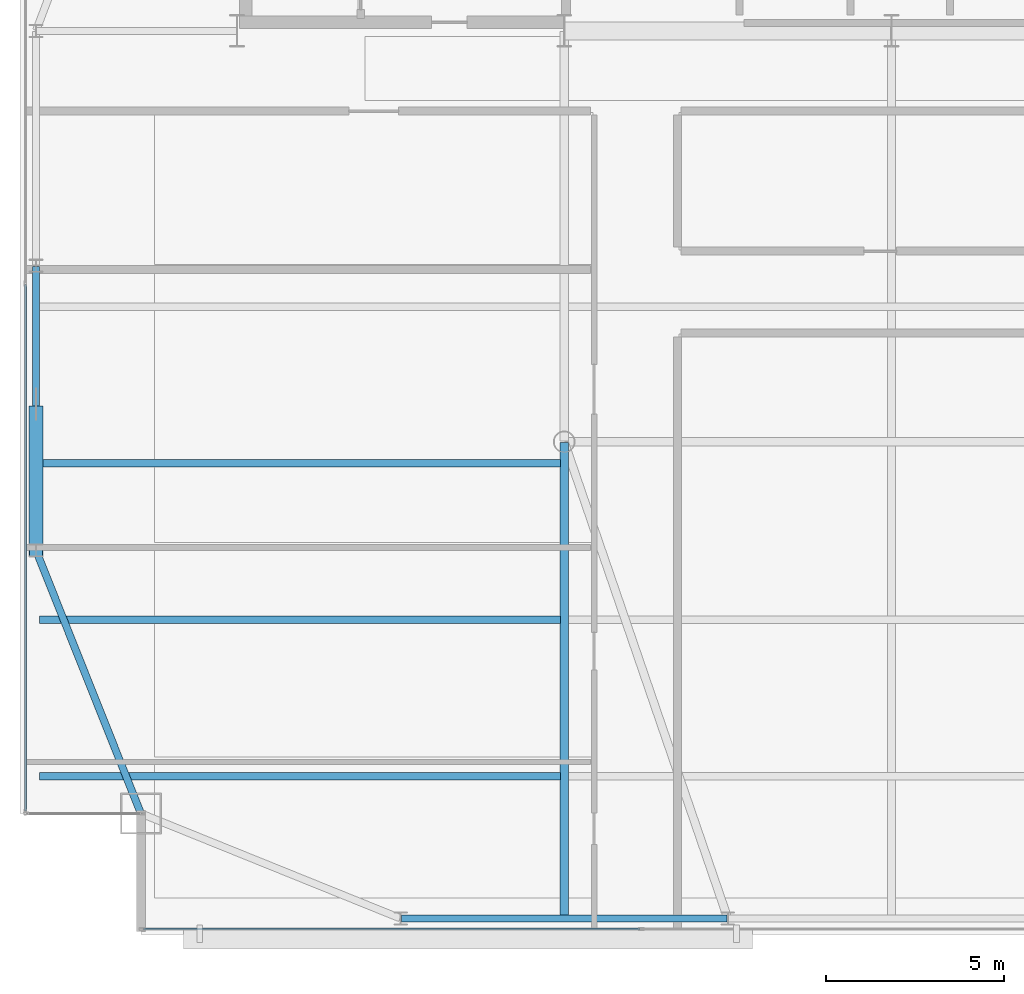
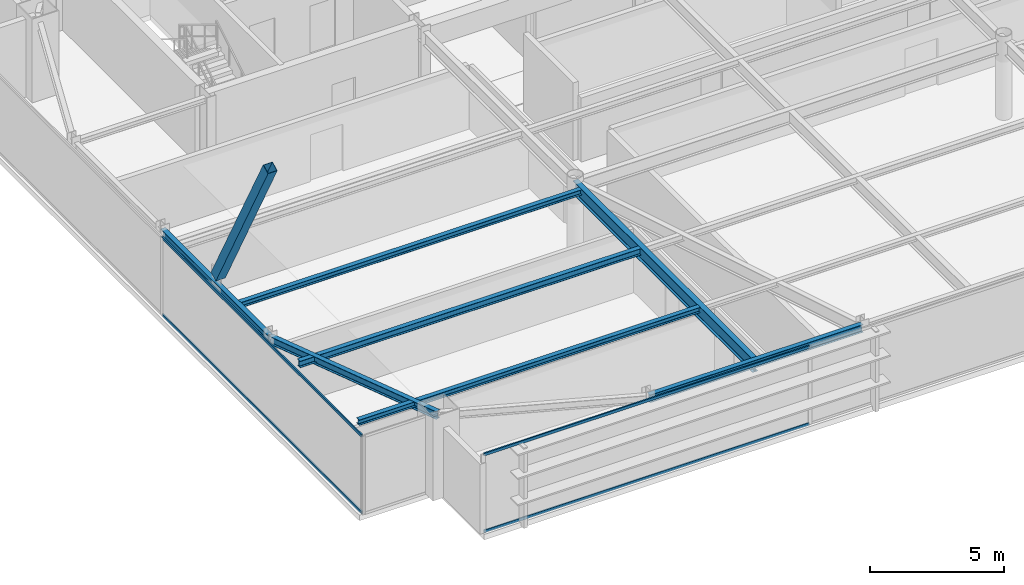
# One storey, part 5 of 26: 7 beams, 5 members, 2 elements without a shape of their own.
"""IFC4 building model written with IfcOpenShell, lengths in metres."""

from ifc_helpers import new_model, si_unit, direction, frame, origin, origin_2d, place, context, subcontext, project, spatial, hollow_rectangle, i_section, extrude, source, transform, mapped, material, layer, layer_set, material_profile, profile_set, type_object, type_shapes, element, aggregate, save


model = new_model("IFC4")

# Units and contexts
model_context = context("Model", 3, precision=1e-05, world=origin(), true_north=direction((0.0, 1.0)))
body_context = subcontext(model_context, "Body", "Model", "MODEL_VIEW")
ifc_project = project(units=[si_unit("LENGTHUNIT", "METRE"), si_unit("AREAUNIT", "SQUARE_METRE"), si_unit("VOLUMEUNIT", "CUBIC_METRE"), si_unit("PLANEANGLEUNIT", "RADIAN"), si_unit("MASSUNIT", "GRAM", prefix="KILO")], contexts=[model_context])

# Site, building, storey
site_placement = place(None, origin())
site = spatial("IfcSite", under=ifc_project, at=site_placement, CompositionType="ELEMENT")
building_placement = place(site_placement, origin())
building = spatial("IfcBuilding", under=site, at=building_placement, Name="Varnel Quay Broadcast Tower", CompositionType="ELEMENT")
storey_placement = place(building_placement, frame((0.0, 0.0, 218.800048828125)))
storey = spatial("IfcBuildingStorey", under=building, at=storey_placement, Name="L54", CompositionType="ELEMENT", Elevation=218.800048828125)

# Beams
ifc_material_1 = material(Name="Structural Steel CSA G40.21 350W", Category="steel")
ifc_material_profile_1 = material_profile(ifc_material_1, i_section(OverallWidth=0.205078125, OverallDepth=0.35400390625, WebThickness=0.009521484375, FlangeThickness=0.016845703125, FilletRadius=0.012939453125, at=origin_2d()), Name="W360X79")
ifc_profile_set_1 = profile_set([ifc_material_profile_1], Name="Structural Steel CSA G40.21 350W")
beam_type_1 = type_object("IfcBeamType", Name="Beam_W360X79", PredefinedType="SPANDREL", material=ifc_profile_set_1)
shared_shape_1 = source(origin(), body_context, "Body", "SweptSolid", [
    extrude(i_section(OverallWidth=0.205078125, OverallDepth=0.35400390625, WebThickness=0.009521484375, FlangeThickness=0.016845703125, FilletRadius=0.012939453125, at=origin_2d()), origin(), (0.0, 0.0, 1.0), 9.159912109375),
])
beam_1_placement = place(storey_placement, frame((20.219970703125, 10.64990234375, 3.373046875), z_axis=(1.0, 0.0, 0.0), x_axis=(0.0, 1.0, 0.0)))
element("IfcBeam", 1, at=beam_1_placement, inside=storey, type_object=beam_type_1, Name="L54 South Spandrel TC-S1-TC-S2", PredefinedType="SPANDREL", context=body_context, shape_type="MappedRepresentation", body=[
    mapped(shared_shape_1, transform((0.0, 0.0, 0.0), x_axis=(1.0, 0.0, 0.0), y_axis=(0.0, 1.0, 0.0), z_axis=(0.0, 0.0, 1.0), scale=1.0)),
])
shared_shape_2 = source(origin(), body_context, "Body", "SweptSolid", [
    extrude(i_section(OverallWidth=0.205078125, OverallDepth=0.35400390625, WebThickness=0.009521484375, FlangeThickness=0.016845703125, FilletRadius=0.012939453125, at=origin_2d()), origin(), (0.0, 0.0, 1.0), 7.92626953125),
])
beam_2_placement = place(storey_placement, frame((12.892578125, 13.61865234375, 3.373046875), z_axis=(-0.370296431883, 0.928913641053, 0.0), x_axis=(-0.928913641053, -0.370296431883, 0.0)))
element("IfcBeam", 2, at=beam_2_placement, inside=storey, type_object=beam_type_1, Name="L54 West Spandrel MC-SW-TC-W1", PredefinedType="SPANDREL", context=body_context, shape_type="MappedRepresentation", body=[
    mapped(shared_shape_2, transform((0.0, 0.0, 0.0), x_axis=(1.0, 0.0, 0.0), y_axis=(0.0, 1.0, 0.0), z_axis=(0.0, 0.0, 1.0), scale=1.0)),
])
shared_shape_3 = source(origin(), body_context, "Body", "SweptSolid", [
    extrude(i_section(OverallWidth=0.205078125, OverallDepth=0.35400390625, WebThickness=0.009521484375, FlangeThickness=0.016845703125, FilletRadius=0.012939453125, at=origin_2d()), origin(), (0.0, 0.0, 1.0), 7.9599609375),
])
type_shapes(beam_type_1, [shared_shape_1, shared_shape_2, shared_shape_3])
beam_3_placement = place(storey_placement, frame((9.949951171875, 21.02001953125, 3.373046875), z_axis=(0.0, 1.0, 0.0), x_axis=(-1.0, 0.0, 0.0)))
element("IfcBeam", 3, at=beam_3_placement, inside=storey, type_object=beam_type_1, Name="L54 West Spandrel TC-W1-TC-W2", PredefinedType="SPANDREL", context=body_context, shape_type="MappedRepresentation", body=[
    mapped(shared_shape_3, transform((0.0, 0.0, 0.0), x_axis=(1.0, 0.0, 0.0), y_axis=(0.0, 1.0, 0.0), z_axis=(0.0, 0.0, 1.0), scale=1.0)),
])
ifc_material_profile_2 = material_profile(ifc_material_1, i_section(OverallWidth=0.22998046875, OverallDepth=0.616943359375, WebThickness=0.01318359375, FlangeThickness=0.022216796875, FilletRadius=0.01611328125, at=origin_2d()), Name="W610X140")
ifc_profile_set_2 = profile_set([ifc_material_profile_2], Name="Structural Steel CSA G40.21 350W")
beam_type_2 = type_object("IfcBeamType", Name="Girder_W610X140", PredefinedType="BEAM", material=ifc_profile_set_2)
shared_shape_4 = source(origin(), body_context, "Body", "SweptSolid", [
    extrude(i_section(OverallWidth=0.22998046875, OverallDepth=0.616943359375, WebThickness=0.01318359375, FlangeThickness=0.022216796875, FilletRadius=0.01611328125, at=origin_2d()), origin(), (0.0, 0.0, 1.0), 13.360107421875),
])
type_shapes(beam_type_2, [shared_shape_4])
beam_4_placement = place(storey_placement, frame((24.800048828125, 10.669921875, 3.241455078125), z_axis=(0.0, 1.0, 0.0), x_axis=(-1.0, 0.0, 0.0)))
element("IfcBeam", 4, at=beam_4_placement, inside=storey, type_object=beam_type_2, Name="L54 N-S Joist Header IC-01S", PredefinedType="BEAM", context=body_context, shape_type="MappedRepresentation", body=[
    mapped(shared_shape_4, transform((0.0, 0.0, 0.0), x_axis=(1.0, 0.0, 0.0), y_axis=(0.0, 1.0, 0.0), z_axis=(0.0, 0.0, 1.0), scale=1.0)),
])
ifc_material_profile_3 = material_profile(ifc_material_1, i_section(OverallWidth=0.201904296875, OverallDepth=0.2470703125, WebThickness=0.00732421875, FlangeThickness=0.010986328125, FilletRadius=0.010986328125, at=origin_2d()), Name="W250X49")
ifc_profile_set_3 = profile_set([ifc_material_profile_3], Name="Structural Steel CSA G40.21 350W")
beam_type_3 = type_object("IfcBeamType", Name="Beam_W250X49", PredefinedType="JOIST", material=ifc_profile_set_3)
shared_shape_5 = source(origin(), body_context, "Body", "SweptSolid", [
    extrude(i_section(OverallWidth=0.201904296875, OverallDepth=0.2470703125, WebThickness=0.00732421875, FlangeThickness=0.010986328125, FilletRadius=0.010986328125, at=origin_2d()), origin(), (0.0, 0.0, 1.0), 14.642333984375),
])
type_shapes(beam_type_3, [shared_shape_5])
for number, where, z_axis, x_axis, name in (
    (5, (10.047607421875, 14.64990234375, 3.426513671875), (1.0, 0.0, 0.0), (0.0, 1.0, 0.0), "L54 West Floor Joist 1"),
    (6, (10.047607421875, 23.449951171875, 3.426513671875), (1.0, 0.0, 0.0), (0.0, 1.0, 0.0), "L54 West Floor Joist 3"),
):
    element("IfcBeam", number, at=place(storey_placement, frame(where, z_axis=z_axis, x_axis=x_axis)), inside=storey, type_object=beam_type_3, Name=name, PredefinedType="JOIST", context=body_context, shape_type="MappedRepresentation", body=[
        mapped(shared_shape_5, transform((0.0, 0.0, 0.0), x_axis=(1.0, 0.0, 0.0), y_axis=(0.0, 1.0, 0.0), z_axis=(0.0, 0.0, 1.0), scale=1.0)),
    ])
ifc_material_profile_4 = material_profile(ifc_material_1, i_section(OverallWidth=0.202880859375, OverallDepth=0.302978515625, WebThickness=0.007568359375, FlangeThickness=0.01318359375, FilletRadius=0.011962890625, at=origin_2d()), Name="W310X60")
ifc_profile_set_4 = profile_set([ifc_material_profile_4], Name="Structural Steel CSA G40.21 350W")
beam_type_4 = type_object("IfcBeamType", Name="Beam_W310X60", PredefinedType="JOIST", material=ifc_profile_set_4)
shared_shape_6 = source(origin(), body_context, "Body", "SweptSolid", [
    extrude(i_section(OverallWidth=0.202880859375, OverallDepth=0.302978515625, WebThickness=0.007568359375, FlangeThickness=0.01318359375, FilletRadius=0.011962890625, at=origin_2d()), origin(), (0.0, 0.0, 1.0), 14.642333984375),
])
type_shapes(beam_type_4, [shared_shape_6])
beam_5_placement = place(storey_placement, frame((10.047607421875, 19.050048828125, 3.3984375), z_axis=(1.0, 0.0, 0.0), x_axis=(0.0, 1.0, 0.0)))
element("IfcBeam", 7, at=beam_5_placement, inside=storey, type_object=beam_type_4, Name="L54 West Floor Joist 2", PredefinedType="JOIST", context=body_context, shape_type="MappedRepresentation", body=[
    mapped(shared_shape_6, transform((0.0, 0.0, 0.0), x_axis=(1.0, 0.0, 0.0), y_axis=(0.0, 1.0, 0.0), z_axis=(0.0, 0.0, 1.0), scale=1.0)),
])

# Member
ifc_material_profile_5 = material_profile(ifc_material_1, hollow_rectangle(XDim=0.406005859375, YDim=0.406005859375, WallThickness=0.01611328125, at=origin_2d()), Name="HSS406X406X16")
ifc_profile_set_5 = profile_set([ifc_material_profile_5], Name="Structural Steel CSA G40.21 350W")
member_type_1 = type_object("IfcMemberType", Name="Brace_HSS406X406X16", PredefinedType="BRACE", material=ifc_profile_set_5)
shared_shape_7 = source(origin(), body_context, "Body", "SweptSolid", [
    extrude(hollow_rectangle(XDim=0.406005859375, YDim=0.406005859375, WallThickness=0.01611328125, at=origin_2d()), origin(), (0.0, 0.0, 1.0), 8.191650390625),
])
type_shapes(member_type_1, [shared_shape_7])
member_1_placement = place(storey_placement, frame((9.949951171875, 24.873046875, 3.91162109375), z_axis=(0.0, -0.47280190134, 0.881168747794), x_axis=(1.0, 0.0, 0.0)))
element("IfcMember", 8, at=member_1_placement, inside=storey, type_object=member_type_1, Name="Zone 4 Mega-Brace W-FT2 Split Diag B2", PredefinedType="BRACE", context=body_context, shape_type="MappedRepresentation", body=[
    mapped(shared_shape_7, transform((0.0, 0.0, 0.0), x_axis=(1.0, 0.0, 0.0), y_axis=(0.0, 1.0, 0.0), z_axis=(0.0, 0.0, 1.0), scale=1.0)),
])

# Curtain wall, members
ifc_material_2 = material(Name="Anodised Bronze Aluminium 6063-T6", Category="aluminium")
ifc_layer = layer(ifc_material_2, 0.18994140625, Name="Anodised Bronze Aluminium 6063-T6")
ifc_layer_set = layer_set([ifc_layer], Name="Anodised Bronze Aluminium 6063-T6")
curtain_wall_type = type_object("IfcCurtainWallType", Name="CW_UpperTower", PredefinedType="NOTDEFINED", material=ifc_layer_set)
curtain_wall_1_placement = place(storey_placement, origin())
curtain_wall_1 = element("IfcCurtainWall", 9, at=curtain_wall_1_placement, inside=storey, type_object=curtain_wall_type, Name="L54 West Unitised Curtain Wall", PredefinedType="NOTDEFINED")
ifc_material_profile_6 = material_profile(ifc_material_2, hollow_rectangle(XDim=0.06005859375, YDim=0.125, WallThickness=0.0029296875, at=origin_2d()), Name="ALU60X125X3")
ifc_profile_set_6 = profile_set([ifc_material_profile_6], Name="Anodised Bronze Aluminium 6063-T6")
member_type_2 = type_object("IfcMemberType", Name="Tran_CWS-03", PredefinedType="USERDEFINED", material=ifc_profile_set_6)
shared_shape_8 = source(origin(), body_context, "Body", "SweptSolid", [
    extrude(hollow_rectangle(XDim=0.06005859375, YDim=0.125, WallThickness=0.0029296875, at=origin_2d()), origin(), (0.0, 0.0, 1.0), 14.802490234375),
])
member_2_placement = place(storey_placement, frame((9.64990234375, 13.6650390625, 0.030029296875), z_axis=(0.0, 1.0, 0.0), x_axis=(-1.0, 0.0, 0.0)))
member_2 = element("IfcMember", 10, at=member_2_placement, type_object=member_type_2, Name="CWS-03 transom 1.1", ObjectType="TRANSOM", PredefinedType="USERDEFINED", context=body_context, shape_type="MappedRepresentation", body=[
    mapped(shared_shape_8, transform((0.0, 0.0, 0.0), x_axis=(1.0, 0.0, 0.0), y_axis=(0.0, 1.0, 0.0), z_axis=(0.0, 0.0, 1.0), scale=1.0)),
])
member_3_placement = place(storey_placement, frame((9.64990234375, 13.6650390625, 3.52001953125), z_axis=(0.0, 1.0, 0.0), x_axis=(-1.0, 0.0, 0.0)))
member_3 = element("IfcMember", 11, at=member_3_placement, type_object=member_type_2, Name="CWS-03 transom 1.2", ObjectType="TRANSOM", PredefinedType="USERDEFINED", context=body_context, shape_type="MappedRepresentation", body=[
    mapped(shared_shape_8, transform((0.0, 0.0, 0.0), x_axis=(1.0, 0.0, 0.0), y_axis=(0.0, 1.0, 0.0), z_axis=(0.0, 0.0, 1.0), scale=1.0)),
])
aggregate(curtain_wall_1, [member_2, member_3])

curtain_wall_2_placement = place(storey_placement, origin())
curtain_wall_2 = element("IfcCurtainWall", 12, at=curtain_wall_2_placement, inside=storey, type_object=curtain_wall_type, Name="L54 South Unitised Curtain Wall 1", PredefinedType="NOTDEFINED")
shared_shape_9 = source(origin(), body_context, "Body", "SweptSolid", [
    extrude(hollow_rectangle(XDim=0.06005859375, YDim=0.125, WallThickness=0.0029296875, at=origin_2d()), origin(), (0.0, 0.0, 1.0), 13.968994140625),
])
type_shapes(member_type_2, [shared_shape_8, shared_shape_9])
member_4_placement = place(storey_placement, frame((12.965087890625, 10.35009765625, 0.030029296875), z_axis=(1.0, 0.0, 0.0), x_axis=(0.0, 1.0, 0.0)))
member_4 = element("IfcMember", 13, at=member_4_placement, type_object=member_type_2, Name="CWS-03 transom 1.1", ObjectType="TRANSOM", PredefinedType="USERDEFINED", context=body_context, shape_type="MappedRepresentation", body=[
    mapped(shared_shape_9, transform((0.0, 0.0, 0.0), x_axis=(1.0, 0.0, 0.0), y_axis=(0.0, 1.0, 0.0), z_axis=(0.0, 0.0, 1.0), scale=1.0)),
])
member_5_placement = place(storey_placement, frame((12.965087890625, 10.35009765625, 3.52001953125), z_axis=(1.0, 0.0, 0.0), x_axis=(0.0, 1.0, 0.0)))
member_5 = element("IfcMember", 14, at=member_5_placement, type_object=member_type_2, Name="CWS-03 transom 1.2", ObjectType="TRANSOM", PredefinedType="USERDEFINED", context=body_context, shape_type="MappedRepresentation", body=[
    mapped(shared_shape_9, transform((0.0, 0.0, 0.0), x_axis=(1.0, 0.0, 0.0), y_axis=(0.0, 1.0, 0.0), z_axis=(0.0, 0.0, 1.0), scale=1.0)),
])
aggregate(curtain_wall_2, [member_4, member_5])

save(model, "model.ifc")
